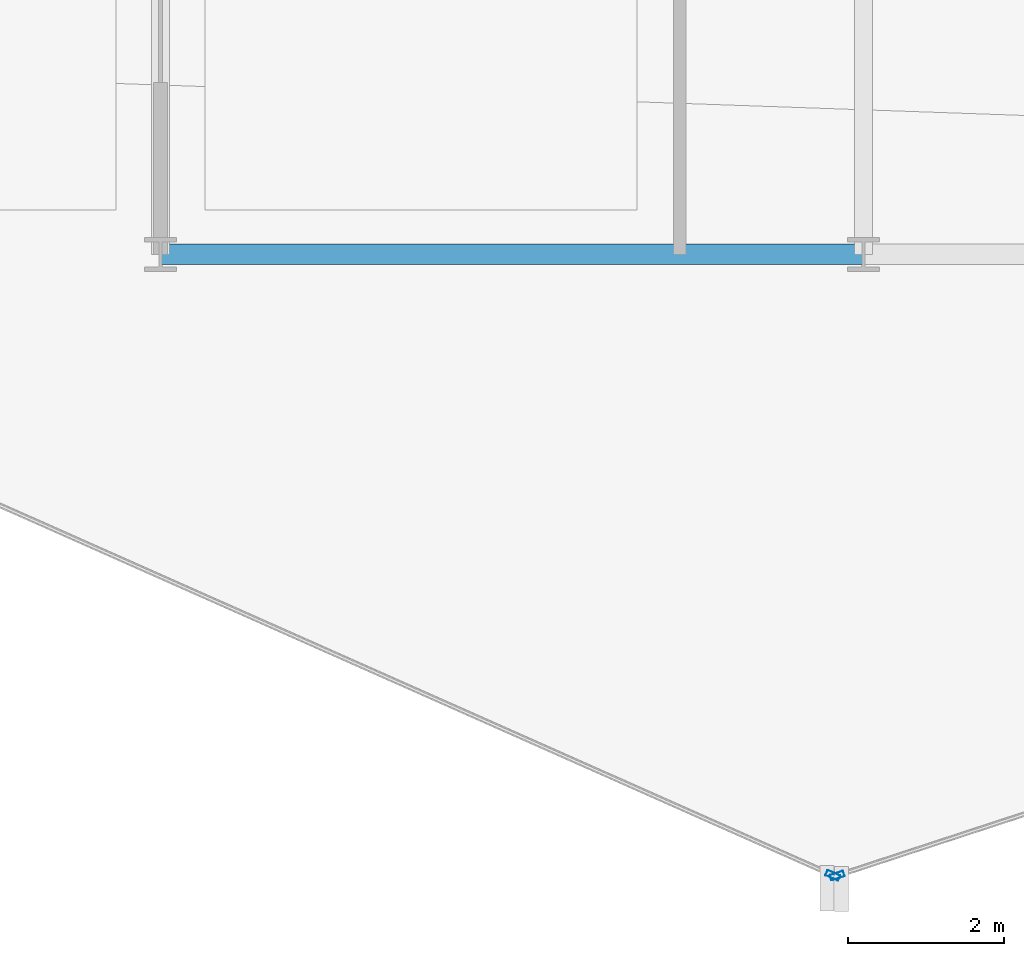
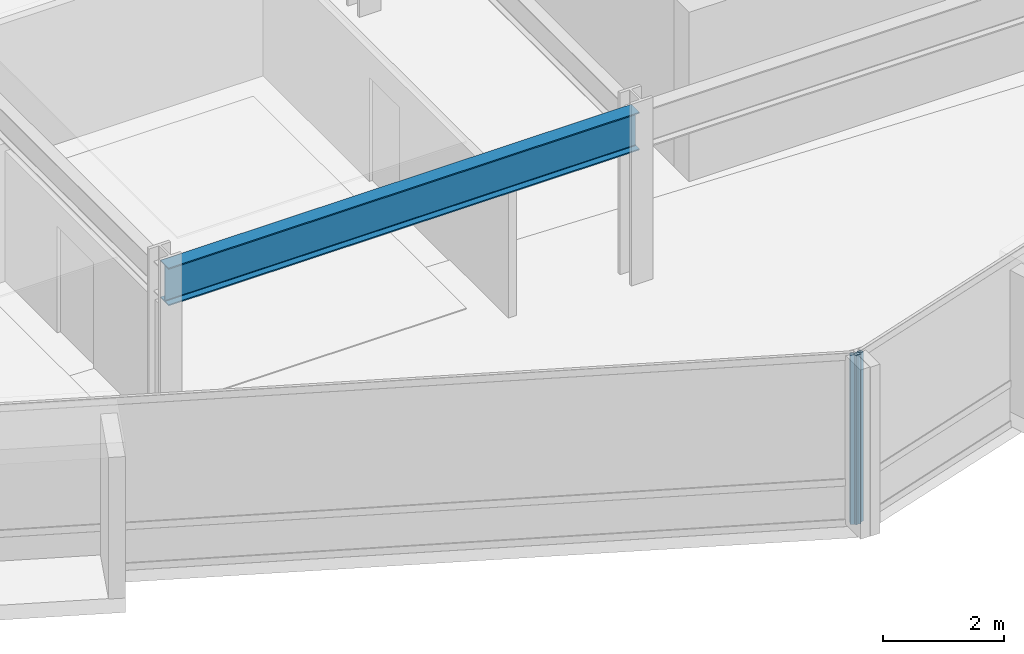
# One storey, part 4 of 29: 2 members, 1 beam, 2 elements without a shape of their own.
"""IFC4 building model written with IfcOpenShell, lengths in metres."""

from ifc_helpers import new_model, si_unit, direction, frame, origin, origin_2d, place, context, subcontext, project, spatial, hollow_rectangle, i_section, extrude, material, layer, layer_set, material_profile, profile_set, type_object, element, aggregate, save


model = new_model("IFC4")

# Units and contexts
model_context = context("Model", 3, precision=1e-05, world=origin(), true_north=direction((0.0, 1.0)))
body_context = subcontext(model_context, "Body", "Model", "MODEL_VIEW")
ifc_project = project(units=[si_unit("LENGTHUNIT", "METRE"), si_unit("AREAUNIT", "SQUARE_METRE"), si_unit("VOLUMEUNIT", "CUBIC_METRE"), si_unit("PLANEANGLEUNIT", "RADIAN"), si_unit("MASSUNIT", "GRAM", prefix="KILO")], contexts=[model_context])

# Site, building, storey
site_placement = place(None, origin())
site = spatial("IfcSite", under=ifc_project, at=site_placement, CompositionType="ELEMENT")
building_placement = place(site_placement, origin())
building = spatial("IfcBuilding", under=site, at=building_placement, Name="Solvaryn Broadcast Tower", CompositionType="ELEMENT")
storey_placement = place(building_placement, frame((0.0, 0.0, 143.300048828125)))
storey = spatial("IfcBuildingStorey", under=building, at=storey_placement, Name="L35", CompositionType="ELEMENT", Elevation=143.300048828125)

# Beam
ifc_material_1 = material(Name="Steel ASTM A992 Grade 50", Category="steel")
ifc_material_profile_1 = material_profile(ifc_material_1, i_section(OverallWidth=0.26708984375, OverallDepth=0.76611328125, WebThickness=0.014892578125, FlangeThickness=0.023681640625, FilletRadius=0.01806640625, at=origin_2d()))
ifc_profile_set_1 = profile_set([ifc_material_profile_1], Name="Steel ASTM A992 Grade 50")
beam_type = type_object("IfcBeamType", Name="BM-SP2-W30X124", PredefinedType="USERDEFINED", material=ifc_profile_set_1)
beam_placement = place(storey_placement, frame((18.0, 9.0, 3.036865234375), z_axis=(1.0, 0.0, 0.0), x_axis=(0.0, 1.0, 0.0)))
element("IfcBeam", 1, at=beam_placement, inside=storey, type_object=beam_type, Name="L35 Spandrel Beam X (18-27 @ Y=9)", ObjectType="SPANDREL", PredefinedType="USERDEFINED", context=body_context, shape_type="SweptSolid", body=[
    extrude(i_section(OverallWidth=0.26708984375, OverallDepth=0.76611328125, WebThickness=0.014892578125, FlangeThickness=0.023681640625, FilletRadius=0.01806640625, at=origin_2d()), origin(), (0.0, 0.0, 1.0), 9.0),
])

# Curtain wall, member
ifc_material_2 = material(Name="Aluminium and Terracotta Unitised Curtain Wall", Category="masonry")
ifc_layer = layer(ifc_material_2, 0.199951171875)
ifc_layer_set = layer_set([ifc_layer], Name="CW-SYS2-LOWMID")
curtain_wall_type = type_object("IfcCurtainWallType", Name="CW-SYS2-LOWMID", PredefinedType="NOTDEFINED", material=ifc_layer_set)
curtain_wall_1_placement = place(storey_placement, origin())
curtain_wall_1 = element("IfcCurtainWall", 2, at=curtain_wall_1_placement, inside=storey, type_object=curtain_wall_type, Name="L35 Curtain Wall DR3", PredefinedType="NOTDEFINED")
ifc_material_3 = material(Name="Anodised Aluminium 6063-T6", Category="aluminium")
ifc_material_profile_2 = material_profile(ifc_material_3, hollow_rectangle(XDim=0.074951171875, YDim=0.179931640625, WallThickness=0.00390625, InnerFilletRadius=0.00390625, OuterFilletRadius=0.008056640625, at=origin_2d()))
ifc_profile_set_2 = profile_set([ifc_material_profile_2], Name="Anodised Aluminium 6063-T6")
member_type = type_object("IfcMemberType", Name="CW-MUL-180", PredefinedType="MULLION", material=ifc_profile_set_2)
member_1_placement = place(storey_placement, frame((26.608642578125, 1.046142578125, 0.0), z_axis=(0.0, 0.0, 1.0), x_axis=(0.405918429309, 0.913909311008, 0.0)))
member_1 = element("IfcMember", 3, at=member_1_placement, type_object=member_type, Name="CWS2 mullion 2", PredefinedType="MULLION", context=body_context, shape_type="SweptSolid", body=[
    extrude(hollow_rectangle(XDim=0.074951171875, YDim=0.179931640625, WallThickness=0.00390625, InnerFilletRadius=0.00390625, OuterFilletRadius=0.008056640625, at=origin_2d()), origin(), (0.0, 0.0, 1.0), 3.419921875),
])
aggregate(curtain_wall_1, [member_1])

curtain_wall_2_placement = place(storey_placement, origin())
curtain_wall_2 = element("IfcCurtainWall", 4, at=curtain_wall_2_placement, inside=storey, type_object=curtain_wall_type, Name="L35 Curtain Wall DR4", PredefinedType="NOTDEFINED")
member_2_placement = place(storey_placement, frame((26.66455078125, 1.04345703125, 0.0), z_axis=(0.0, 0.0, 1.0), x_axis=(-0.311646057547, 0.950198260794, 0.0)))
member_2 = element("IfcMember", 5, at=member_2_placement, type_object=member_type, Name="CWS2 mullion 1", PredefinedType="MULLION", context=body_context, shape_type="SweptSolid", body=[
    extrude(hollow_rectangle(XDim=0.074951171875, YDim=0.179931640625, WallThickness=0.00390625, InnerFilletRadius=0.00390625, OuterFilletRadius=0.008056640625, at=origin_2d()), origin(), (0.0, 0.0, 1.0), 3.419921875),
])
aggregate(curtain_wall_2, [member_2])

save(model, "model.ifc")
